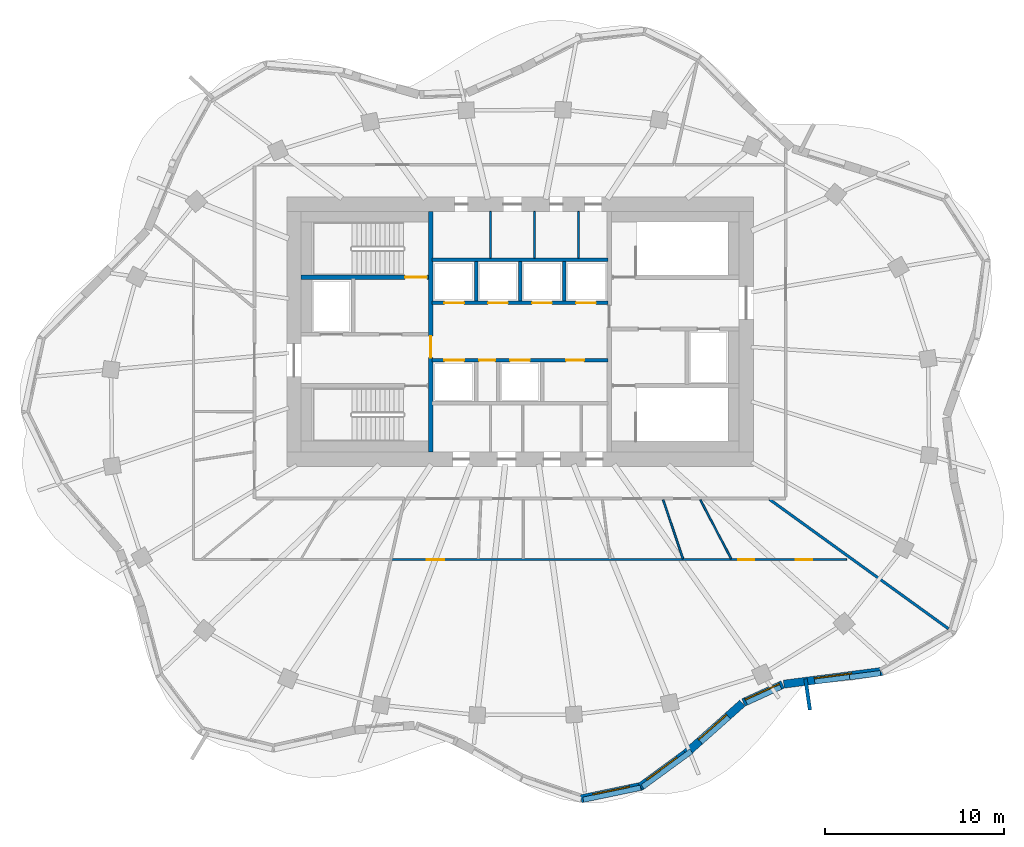
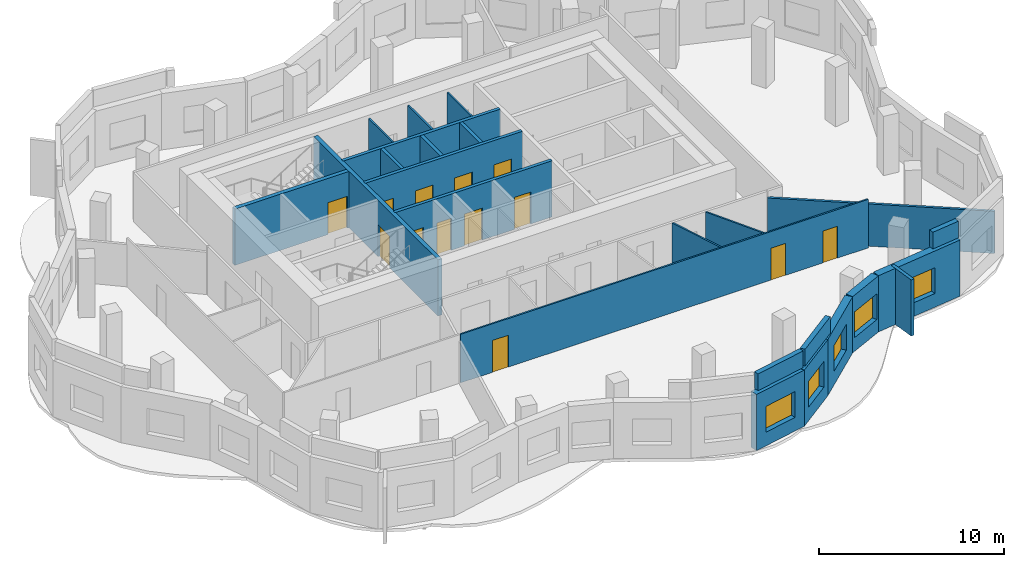
# One storey, part 5 of 9: 24 walls, 13 doors, 5 windows, 18 openings.
"""IFC4 building model written with IfcOpenShell, lengths in metres."""

from ifc_helpers import new_model, si_unit, direction, frame, frame_2d, origin, place, context, subcontext, project, spatial, rectangle, extrude, material, layer, layer_set, type_object, element, fill, save


model = new_model("IFC4")

# Units and contexts
model_context = context("Model", 3, precision=1e-05, world=origin(), true_north=direction((0.0, 1.0)))
body_context = subcontext(model_context, "Body", "Model", "MODEL_VIEW")
ifc_project = project(units=[si_unit("LENGTHUNIT", "METRE"), si_unit("AREAUNIT", "SQUARE_METRE"), si_unit("VOLUMEUNIT", "CUBIC_METRE"), si_unit("PLANEANGLEUNIT", "RADIAN"), si_unit("MASSUNIT", "GRAM", prefix="KILO")], contexts=[model_context])

# Site, building, storey
site_placement = place(None, origin())
site = spatial("IfcSite", under=ifc_project, at=site_placement, CompositionType="ELEMENT")
building_placement = place(site_placement, origin())
building = spatial("IfcBuilding", under=site, at=building_placement, Name="Rubra Terraces Tower", CompositionType="ELEMENT")
storey_placement = place(building_placement, frame((0.0, 0.0, 303.89990234375)))
storey = spatial("IfcBuildingStorey", under=building, at=storey_placement, Name="L75", CompositionType="ELEMENT", Elevation=303.89990234375)

# Wall, opening, window
ifc_material_1 = material(Name="Brick masonry red-brown", Category="masonry")
ifc_layer_1 = layer(ifc_material_1, 0.449951171875)
ifc_layer_set_1 = layer_set([ifc_layer_1], Name="Brick masonry red-brown")
wall_type_1 = type_object("IfcWallType", Name="Brick facade wall 450", PredefinedType="SOLIDWALL", material=ifc_layer_set_1)
wall_1_placement = place(storey_placement, frame((3.39892578125, -21.53173828125, 0.0), z_axis=(0.0, 0.0, 1.0), x_axis=(0.978915912181, 0.204263645512, 0.0)))
wall_1 = element("IfcWall", 1, at=wall_1_placement, inside=storey, type_object=wall_type_1, Name="Facade wall L75 bay 32", PredefinedType="SOLIDWALL", context=body_context, shape_type="SweptSolid", body=[
    extrude(rectangle(XDim=3.466064453125, YDim=0.449951171875, at=frame_2d((1.73291015625, 0.0))), origin(), (0.0, 0.0, 1.0), 3.7001953125),
])
opening_1_placement = place(wall_1_placement, frame((0.68310546875, 0.0, 0.89990234375)))
opening_1 = element("IfcOpeningElement", 2, at=opening_1_placement, cuts=wall_1, Name="Opening W1Y", PredefinedType="OPENING", context=body_context, shape_type="SweptSolid", body=[
    extrude(rectangle(XDim=2.10009765625, YDim=1.699951171875, at=frame_2d((1.050048828125, 0.85009765625))), frame((0.0, 0.23486328125, 0.0), z_axis=(0.0, -1.0, 0.0), x_axis=(1.0, 0.0, 0.0)), (0.0, 0.0, 1.0), 0.469970703125),
])
ifc_material_2 = material(Name="Clear glass in aluminium frame", Category="aluminium")
window_type = type_object("IfcWindowType", Name="Fixed deep-set window under crown ring girder 2100 x 1700", PartitioningType="SINGLE_PANEL", PredefinedType="WINDOW", material=ifc_material_2)
window_1_placement = place(opening_1_placement, origin())
window_1 = element("IfcWindow", 3, at=window_1_placement, inside=storey, type_object=window_type, Name="Window L75 bay 32", OverallHeight=1.699951171875, OverallWidth=2.10009765625, PartitioningType="SINGLE_PANEL", PredefinedType="WINDOW", context=body_context, shape_type="SweptSolid", body=[
    extrude(rectangle(XDim=2.10009765625, YDim=1.699951171875, at=frame_2d((1.050048828125, 0.85009765625))), frame((0.0, 0.135009765625, 0.0), z_axis=(0.0, -1.0, 0.0), x_axis=(1.0, 0.0, 0.0)), (0.0, 0.0, 1.0), 0.06005859375),
])
fill(opening_1, window_1)

wall_2_placement = place(storey_placement, frame((6.705078125, -20.8623046875, 0.0), z_axis=(0.0, 0.0, 1.0), x_axis=(0.806921336267, 0.590658917716, 0.0)))
wall_2 = element("IfcWall", 4, at=wall_2_placement, inside=storey, type_object=wall_type_1, Name="Facade wall L75 bay 33", PredefinedType="SOLIDWALL", context=body_context, shape_type="SweptSolid", body=[
    extrude(rectangle(XDim=3.124755859375, YDim=0.449951171875, at=frame_2d((1.5625, 0.0))), origin(), (0.0, 0.0, 1.0), 3.7001953125),
])
opening_2_placement = place(wall_2_placement, frame((0.512451171875, 0.0, 0.89990234375)))
opening_2 = element("IfcOpeningElement", 5, at=opening_2_placement, cuts=wall_2, Name="Opening W1Y", PredefinedType="OPENING", context=body_context, shape_type="SweptSolid", body=[
    extrude(rectangle(XDim=2.10009765625, YDim=1.699951171875, at=frame_2d((1.050048828125, 0.85009765625))), frame((0.0, 0.23486328125, 0.0), z_axis=(0.0, -1.0, 0.0), x_axis=(1.0, 0.0, 0.0)), (0.0, 0.0, 1.0), 0.469970703125),
])
window_2_placement = place(opening_2_placement, origin())
window_2 = element("IfcWindow", 6, at=window_2_placement, inside=storey, type_object=window_type, Name="Window L75 bay 33", OverallHeight=1.699951171875, OverallWidth=2.10009765625, PartitioningType="SINGLE_PANEL", PredefinedType="WINDOW", context=body_context, shape_type="SweptSolid", body=[
    extrude(rectangle(XDim=2.10009765625, YDim=1.699951171875, at=frame_2d((1.050048828125, 0.85009765625))), frame((0.0, 0.135009765625, 0.0), z_axis=(0.0, -1.0, 0.0), x_axis=(1.0, 0.0, 0.0)), (0.0, 0.0, 1.0), 0.06005859375),
])
fill(opening_2, window_2)

wall_3_placement = place(storey_placement, frame((9.2099609375, -19.030029296875, 0.0), z_axis=(0.0, 0.0, 1.0), x_axis=(0.747396648191, 0.664378092861, 0.0)))
wall_3 = element("IfcWall", 7, at=wall_3_placement, inside=storey, type_object=wall_type_1, Name="Facade wall L75 bay 34", PredefinedType="SOLIDWALL", context=body_context, shape_type="SweptSolid", body=[
    extrude(rectangle(XDim=4.25244140625, YDim=0.449951171875, at=frame_2d((2.126220703125, 0.0))), origin(), (0.0, 0.0, 1.0), 3.7001953125),
])
opening_3_placement = place(wall_3_placement, frame((1.076171875, 0.0, 0.89990234375)))
opening_3 = element("IfcOpeningElement", 8, at=opening_3_placement, cuts=wall_3, Name="Opening W1Y", PredefinedType="OPENING", context=body_context, shape_type="SweptSolid", body=[
    extrude(rectangle(XDim=2.10009765625, YDim=1.699951171875, at=frame_2d((1.050048828125, 0.85009765625))), frame((0.0, 0.23486328125, 0.0), z_axis=(0.0, -1.0, 0.0), x_axis=(1.0, 0.0, 0.0)), (0.0, 0.0, 1.0), 0.469970703125),
])
window_3_placement = place(opening_3_placement, origin())
window_3 = element("IfcWindow", 9, at=window_3_placement, inside=storey, type_object=window_type, Name="Window L75 bay 34", OverallHeight=1.699951171875, OverallWidth=2.10009765625, PartitioningType="SINGLE_PANEL", PredefinedType="WINDOW", context=body_context, shape_type="SweptSolid", body=[
    extrude(rectangle(XDim=2.10009765625, YDim=1.699951171875, at=frame_2d((1.050048828125, 0.85009765625))), frame((0.0, 0.135009765625, 0.0), z_axis=(0.0, -1.0, 0.0), x_axis=(1.0, 0.0, 0.0)), (0.0, 0.0, 1.0), 0.06005859375),
])
fill(opening_3, window_3)

wall_4_placement = place(storey_placement, frame((12.443603515625, -16.168701171875, 0.0), z_axis=(0.0, 0.0, 1.0), x_axis=(0.908468904074, 0.417952449844, 0.0)))
wall_4 = element("IfcWall", 10, at=wall_4_placement, inside=storey, type_object=wall_type_1, Name="Facade wall L75 bay 35", PredefinedType="SOLIDWALL", context=body_context, shape_type="SweptSolid", body=[
    extrude(rectangle(XDim=2.408935546875, YDim=0.449951171875, at=frame_2d((1.20458984375, 0.0))), origin(), (0.0, 0.0, 1.0), 3.7001953125),
])
opening_4_placement = place(wall_4_placement, frame((0.154541015625, 0.0, 0.89990234375)))
opening_4 = element("IfcOpeningElement", 11, at=opening_4_placement, cuts=wall_4, Name="Opening W1Y", PredefinedType="OPENING", context=body_context, shape_type="SweptSolid", body=[
    extrude(rectangle(XDim=2.10009765625, YDim=1.699951171875, at=frame_2d((1.050048828125, 0.85009765625))), frame((0.0, 0.23486328125, 0.0), z_axis=(0.0, -1.0, 0.0), x_axis=(1.0, 0.0, 0.0)), (0.0, 0.0, 1.0), 0.469970703125),
])
window_4_placement = place(opening_4_placement, origin())
window_4 = element("IfcWindow", 12, at=window_4_placement, inside=storey, type_object=window_type, Name="Window L75 bay 35", OverallHeight=1.699951171875, OverallWidth=2.10009765625, PartitioningType="SINGLE_PANEL", PredefinedType="WINDOW", context=body_context, shape_type="SweptSolid", body=[
    extrude(rectangle(XDim=2.10009765625, YDim=1.699951171875, at=frame_2d((1.050048828125, 0.85009765625))), frame((0.0, 0.135009765625, 0.0), z_axis=(0.0, -1.0, 0.0), x_axis=(1.0, 0.0, 0.0)), (0.0, 0.0, 1.0), 0.06005859375),
])
fill(opening_4, window_4)

wall_5_placement = place(storey_placement, frame((14.697265625, -15.143310546875, 0.0), z_axis=(0.0, 0.0, 1.0), x_axis=(0.991631798411, 0.129098320597, 0.0)))
wall_5 = element("IfcWall", 13, at=wall_5_placement, inside=storey, type_object=wall_type_1, Name="Facade wall L75 bay 36", PredefinedType="SOLIDWALL", context=body_context, shape_type="SweptSolid", body=[
    extrude(rectangle(XDim=5.546630859375, YDim=0.449951171875, at=frame_2d((2.7734375, 0.0))), origin(), (0.0, 0.0, 1.0), 3.7001953125),
])
opening_5_placement = place(wall_5_placement, frame((1.723388671875, 0.0, 0.89990234375)))
opening_5 = element("IfcOpeningElement", 14, at=opening_5_placement, cuts=wall_5, Name="Opening W1Y", PredefinedType="OPENING", context=body_context, shape_type="SweptSolid", body=[
    extrude(rectangle(XDim=2.10009765625, YDim=1.699951171875, at=frame_2d((1.050048828125, 0.85009765625))), frame((0.0, 0.23486328125, 0.0), z_axis=(0.0, -1.0, 0.0), x_axis=(1.0, 0.0, 0.0)), (0.0, 0.0, 1.0), 0.469970703125),
])
window_5_placement = place(opening_5_placement, origin())
window_5 = element("IfcWindow", 15, at=window_5_placement, inside=storey, type_object=window_type, Name="Window L75 bay 36", OverallHeight=1.699951171875, OverallWidth=2.10009765625, PartitioningType="SINGLE_PANEL", PredefinedType="WINDOW", context=body_context, shape_type="SweptSolid", body=[
    extrude(rectangle(XDim=2.10009765625, YDim=1.699951171875, at=frame_2d((1.050048828125, 0.85009765625))), frame((0.0, 0.135009765625, 0.0), z_axis=(0.0, -1.0, 0.0), x_axis=(1.0, 0.0, 0.0)), (0.0, 0.0, 1.0), 0.06005859375),
])
fill(opening_5, window_5)

# Walls
ifc_layer_2 = layer(ifc_material_1, 0.300048828125)
ifc_layer_set_2 = layer_set([ifc_layer_2], Name="Brick masonry red-brown")
wall_type_2 = type_object("IfcWallType", Name="Brick parapet 300", PredefinedType="PARAPET", material=ifc_layer_set_2)
wall_6_placement = place(storey_placement, frame((3.523681640625, -21.582275390625, 3.900146484375), z_axis=(0.0, 0.0, 1.0), x_axis=(0.97891618591, 0.204262333689, 0.0)))
element("IfcWall", 16, at=wall_6_placement, inside=storey, type_object=wall_type_2, Name="Parapet L75 bay 32", PredefinedType="PARAPET", context=body_context, shape_type="SweptSolid", body=[
    extrude(rectangle(XDim=3.25927734375, YDim=0.300048828125, at=frame_2d((1.629638671875, 0.0))), origin(), (0.0, 0.0, 1.0), 1.099853515625),
])
wall_7_placement = place(storey_placement, frame((6.825927734375, -20.866943359375, 3.900146484375), z_axis=(0.0, 0.0, 1.0), x_axis=(0.806907255022, 0.590678154152, 0.0)))
element("IfcWall", 17, at=wall_7_placement, inside=storey, type_object=wall_type_2, Name="Parapet L75 bay 33", PredefinedType="PARAPET", context=body_context, shape_type="SweptSolid", body=[
    extrude(rectangle(XDim=3.366943359375, YDim=0.300048828125, at=frame_2d((1.68359375, 0.0))), origin(), (0.0, 0.0, 1.0), 1.099853515625),
])
wall_8_placement = place(storey_placement, frame((18.361328125, -14.757080078125, 3.900146484375), z_axis=(0.0, 0.0, 1.0), x_axis=(0.991631715393, 0.129098958273, 0.0)))
element("IfcWall", 18, at=wall_8_placement, inside=storey, type_object=wall_type_2, Name="Parapet L75 bay 36", PredefinedType="PARAPET", context=body_context, shape_type="SweptSolid", body=[
    extrude(rectangle(XDim=1.738037109375, YDim=0.300048828125, at=frame_2d((0.869140625, 0.0))), origin(), (0.0, 0.0, 1.0), 1.099853515625),
])
ifc_layer_3 = layer(ifc_material_1, 0.199951171875)
ifc_layer_set_3 = layer_set([ifc_layer_3], Name="Brick masonry red-brown")
wall_type_3 = type_object("IfcWallType", Name="Brick wind fin 200", PredefinedType="SOLIDWALL", material=ifc_layer_set_3)
wall_9_placement = place(storey_placement, frame((15.905029296875, -14.85009765625, 0.0), z_axis=(0.0, 0.0, 1.0), x_axis=(0.140913490987, -0.990021912918, 0.0)))
element("IfcWall", 19, at=wall_9_placement, inside=storey, type_object=wall_type_3, Name="Wind fin L75 18", PredefinedType="SOLIDWALL", context=body_context, shape_type="SweptSolid", body=[
    extrude(rectangle(XDim=1.75, YDim=0.199951171875, at=frame_2d((0.875, 0.0))), origin(), (0.0, 0.0, 1.0), 3.7001953125),
])

# Wall, openings, doors
ifc_material_3 = material(Name="Concrete C30", Category="concrete")
ifc_layer_4 = layer(ifc_material_3, 0.199951171875)
ifc_layer_set_4 = layer_set([ifc_layer_4], Name="Concrete C30")
wall_type_4 = type_object("IfcWallType", Name="Core wall 200 concrete", PredefinedType="SOLIDWALL", material=ifc_layer_set_4)
wall_10_placement = place(storey_placement, frame((-4.89990234375, 2.89990234375, 0.0), z_axis=(0.0, 0.0, 1.0), x_axis=(1.0, 0.0, 0.0)))
wall_10 = element("IfcWall", 20, at=wall_10_placement, inside=storey, type_object=wall_type_4, Name="LIFT SHAFT WALL L75", PredefinedType="SOLIDWALL", context=body_context, shape_type="SweptSolid", body=[
    extrude(rectangle(XDim=9.7998046875, YDim=0.199951171875, at=frame_2d((4.89990234375, 0.0))), origin(), (0.0, 0.0, 1.0), 3.7001953125),
])
opening_6_placement = place(wall_10_placement, frame((0.675048828125, 0.0, 0.0)))
opening_6 = element("IfcOpeningElement", 21, at=opening_6_placement, cuts=wall_10, Name="Opening L75.C13", PredefinedType="OPENING", context=body_context, shape_type="SweptSolid", body=[
    extrude(rectangle(XDim=1.10009765625, YDim=2.10009765625, at=frame_2d((0.550048828125, 1.050048828125))), frame((0.0, 0.10986328125, 0.0), z_axis=(0.0, -1.0, 0.0), x_axis=(1.0, 0.0, 0.0)), (0.0, 0.0, 1.0), 0.219970703125),
])
opening_7_placement = place(wall_10_placement, frame((2.613037109375, 0.0, 0.0)))
opening_7 = element("IfcOpeningElement", 22, at=opening_7_placement, cuts=wall_10, Name="Opening L75.C14", PredefinedType="OPENING", context=body_context, shape_type="SweptSolid", body=[
    extrude(rectangle(XDim=0.89990234375, YDim=2.10009765625, at=frame_2d((0.449951171875, 1.050048828125))), frame((0.0, 0.10986328125, 0.0), z_axis=(0.0, -1.0, 0.0), x_axis=(1.0, 0.0, 0.0)), (0.0, 0.0, 1.0), 0.219970703125),
])
opening_8_placement = place(wall_10_placement, frame((4.35009765625, 0.0, 0.0)))
opening_8 = element("IfcOpeningElement", 23, at=opening_8_placement, cuts=wall_10, Name="Opening L75.C15", PredefinedType="OPENING", context=body_context, shape_type="SweptSolid", body=[
    extrude(rectangle(XDim=1.10009765625, YDim=2.10009765625, at=frame_2d((0.550048828125, 1.050048828125))), frame((0.0, 0.10986328125, 0.0), z_axis=(0.0, -1.0, 0.0), x_axis=(1.0, 0.0, 0.0)), (0.0, 0.0, 1.0), 0.219970703125),
])
opening_9_placement = place(wall_10_placement, frame((7.462890625, 0.0, 0.0)))
opening_9 = element("IfcOpeningElement", 24, at=opening_9_placement, cuts=wall_10, Name="Opening L75.C16", PredefinedType="OPENING", context=body_context, shape_type="SweptSolid", body=[
    extrude(rectangle(XDim=1.0, YDim=2.10009765625, at=frame_2d((0.5, 1.050048828125))), frame((0.0, 0.10986328125, 0.0), z_axis=(0.0, -1.0, 0.0), x_axis=(1.0, 0.0, 0.0)), (0.0, 0.0, 1.0), 0.219970703125),
])
ifc_material_4 = material(Name="Painted steel", Category="steel")
door_type_1 = type_object("IfcDoorType", Name="Fire door 1000x2100 single", OperationType="NOTDEFINED", PredefinedType="DOOR", material=ifc_material_4)
door_1_placement = place(opening_9_placement, origin())
door_1 = element("IfcDoor", 25, at=door_1_placement, inside=storey, type_object=door_type_1, Name="Linen store door", OperationType="SINGLE_SWING_RIGHT", OverallHeight=2.10009765625, OverallWidth=1.0, PredefinedType="DOOR", context=body_context, shape_type="SweptSolid", body=[
    extrude(rectangle(XDim=1.0, YDim=2.10009765625, at=frame_2d((0.5, 1.050048828125))), frame((0.0, 0.02490234375, 0.0), z_axis=(0.0, -1.0, 0.0), x_axis=(1.0, 0.0, 0.0)), (0.0, 0.0, 1.0), 0.050048828125),
])
fill(opening_9, door_1)
door_type_2 = type_object("IfcDoorType", Name="Fire door 900x2100 single", OperationType="NOTDEFINED", PredefinedType="DOOR", material=ifc_material_4)
door_2_placement = place(opening_7_placement, origin())
door_2 = element("IfcDoor", 26, at=door_2_placement, inside=storey, type_object=door_type_2, Name="Cleaner's store door", OperationType="SINGLE_SWING_RIGHT", OverallHeight=2.10009765625, OverallWidth=0.89990234375, PredefinedType="DOOR", context=body_context, shape_type="SweptSolid", body=[
    extrude(rectangle(XDim=0.89990234375, YDim=2.10009765625, at=frame_2d((0.449951171875, 1.050048828125))), frame((0.0, 0.02490234375, 0.0), z_axis=(0.0, -1.0, 0.0), x_axis=(1.0, 0.0, 0.0)), (0.0, 0.0, 1.0), 0.050048828125),
])
fill(opening_7, door_2)
ifc_material_5 = material(Name="Stainless steel", Category="steel")
door_type_3 = type_object("IfcDoorType", Name="Lift landing door 1100x2100", OperationType="NOTDEFINED", PredefinedType="DOOR", material=ifc_material_5)
door_3_placement = place(opening_6_placement, origin())
door_3 = element("IfcDoor", 27, at=door_3_placement, inside=storey, type_object=door_type_3, Name="Landing door HB1", OperationType="SLIDING_TO_RIGHT", OverallHeight=2.10009765625, OverallWidth=1.10009765625, PredefinedType="DOOR", context=body_context, shape_type="SweptSolid", body=[
    extrude(rectangle(XDim=1.10009765625, YDim=2.10009765625, at=frame_2d((0.550048828125, 1.050048828125))), frame((0.0, 0.02490234375, 0.0), z_axis=(0.0, -1.0, 0.0), x_axis=(1.0, 0.0, 0.0)), (0.0, 0.0, 1.0), 0.050048828125),
])
fill(opening_6, door_3)
door_4_placement = place(opening_8_placement, origin())
door_4 = element("IfcDoor", 28, at=door_4_placement, inside=storey, type_object=door_type_3, Name="Landing door HB2", OperationType="SLIDING_TO_LEFT", OverallHeight=2.10009765625, OverallWidth=1.10009765625, PredefinedType="DOOR", context=body_context, shape_type="SweptSolid", body=[
    extrude(rectangle(XDim=1.10009765625, YDim=2.10009765625, at=frame_2d((0.550048828125, 1.050048828125))), frame((0.0, 0.02490234375, 0.0), z_axis=(0.0, -1.0, 0.0), x_axis=(1.0, 0.0, 0.0)), (0.0, 0.0, 1.0), 0.050048828125),
])
fill(opening_8, door_4)

wall_11_placement = place(storey_placement, frame((-4.89990234375, 6.10009765625, 0.0), z_axis=(0.0, 0.0, 1.0), x_axis=(1.0, 0.0, 0.0)))
wall_11 = element("IfcWall", 29, at=wall_11_placement, inside=storey, type_object=wall_type_4, Name="LIFT SHAFT WALL L75", PredefinedType="SOLIDWALL", context=body_context, shape_type="SweptSolid", body=[
    extrude(rectangle(XDim=9.7998046875, YDim=0.199951171875, at=frame_2d((4.89990234375, 0.0))), origin(), (0.0, 0.0, 1.0), 3.7001953125),
])
opening_10_placement = place(wall_11_placement, frame((0.675048828125, 0.0, 0.0)))
opening_10 = element("IfcOpeningElement", 30, at=opening_10_placement, cuts=wall_11, Name="Opening L75.C17", PredefinedType="OPENING", context=body_context, shape_type="SweptSolid", body=[
    extrude(rectangle(XDim=1.10009765625, YDim=2.10009765625, at=frame_2d((0.550048828125, 1.050048828125))), frame((0.0, 0.10986328125, 0.0), z_axis=(0.0, -1.0, 0.0), x_axis=(1.0, 0.0, 0.0)), (0.0, 0.0, 1.0), 0.219970703125),
])
opening_11_placement = place(wall_11_placement, frame((3.125, 0.0, 0.0)))
opening_11 = element("IfcOpeningElement", 31, at=opening_11_placement, cuts=wall_11, Name="Opening L75.C18", PredefinedType="OPENING", context=body_context, shape_type="SweptSolid", body=[
    extrude(rectangle(XDim=1.10009765625, YDim=2.10009765625, at=frame_2d((0.550048828125, 1.050048828125))), frame((0.0, 0.10986328125, 0.0), z_axis=(0.0, -1.0, 0.0), x_axis=(1.0, 0.0, 0.0)), (0.0, 0.0, 1.0), 0.219970703125),
])
opening_12_placement = place(wall_11_placement, frame((5.574951171875, 0.0, 0.0)))
opening_12 = element("IfcOpeningElement", 32, at=opening_12_placement, cuts=wall_11, Name="Opening L75.C19", PredefinedType="OPENING", context=body_context, shape_type="SweptSolid", body=[
    extrude(rectangle(XDim=1.10009765625, YDim=2.10009765625, at=frame_2d((0.550048828125, 1.050048828125))), frame((0.0, 0.10986328125, 0.0), z_axis=(0.0, -1.0, 0.0), x_axis=(1.0, 0.0, 0.0)), (0.0, 0.0, 1.0), 0.219970703125),
])
opening_13_placement = place(wall_11_placement, frame((8.02490234375, 0.0, 0.0)))
opening_13 = element("IfcOpeningElement", 33, at=opening_13_placement, cuts=wall_11, Name="Opening L75.C20", PredefinedType="OPENING", context=body_context, shape_type="SweptSolid", body=[
    extrude(rectangle(XDim=1.10009765625, YDim=2.10009765625, at=frame_2d((0.550048828125, 1.050048828125))), frame((0.0, 0.10986328125, 0.0), z_axis=(0.0, -1.0, 0.0), x_axis=(1.0, 0.0, 0.0)), (0.0, 0.0, 1.0), 0.219970703125),
])
door_5_placement = place(opening_10_placement, origin())
door_5 = element("IfcDoor", 34, at=door_5_placement, inside=storey, type_object=door_type_3, Name="Landing door HB3", OperationType="SLIDING_TO_RIGHT", OverallHeight=2.10009765625, OverallWidth=1.10009765625, PredefinedType="DOOR", context=body_context, shape_type="SweptSolid", body=[
    extrude(rectangle(XDim=1.10009765625, YDim=2.10009765625, at=frame_2d((0.550048828125, 1.050048828125))), frame((0.0, 0.02490234375, 0.0), z_axis=(0.0, -1.0, 0.0), x_axis=(1.0, 0.0, 0.0)), (0.0, 0.0, 1.0), 0.050048828125),
])
fill(opening_10, door_5)
door_6_placement = place(opening_11_placement, origin())
door_6 = element("IfcDoor", 35, at=door_6_placement, inside=storey, type_object=door_type_3, Name="Landing door HB4", OperationType="SLIDING_TO_LEFT", OverallHeight=2.10009765625, OverallWidth=1.10009765625, PredefinedType="DOOR", context=body_context, shape_type="SweptSolid", body=[
    extrude(rectangle(XDim=1.10009765625, YDim=2.10009765625, at=frame_2d((0.550048828125, 1.050048828125))), frame((0.0, 0.02490234375, 0.0), z_axis=(0.0, -1.0, 0.0), x_axis=(1.0, 0.0, 0.0)), (0.0, 0.0, 1.0), 0.050048828125),
])
fill(opening_11, door_6)
door_7_placement = place(opening_12_placement, origin())
door_7 = element("IfcDoor", 36, at=door_7_placement, inside=storey, type_object=door_type_3, Name="Landing door HB5", OperationType="SLIDING_TO_RIGHT", OverallHeight=2.10009765625, OverallWidth=1.10009765625, PredefinedType="DOOR", context=body_context, shape_type="SweptSolid", body=[
    extrude(rectangle(XDim=1.10009765625, YDim=2.10009765625, at=frame_2d((0.550048828125, 1.050048828125))), frame((0.0, 0.02490234375, 0.0), z_axis=(0.0, -1.0, 0.0), x_axis=(1.0, 0.0, 0.0)), (0.0, 0.0, 1.0), 0.050048828125),
])
fill(opening_12, door_7)
door_8_placement = place(opening_13_placement, origin())
door_8 = element("IfcDoor", 37, at=door_8_placement, inside=storey, type_object=door_type_3, Name="Landing door HB6", OperationType="SLIDING_TO_LEFT", OverallHeight=2.10009765625, OverallWidth=1.10009765625, PredefinedType="DOOR", context=body_context, shape_type="SweptSolid", body=[
    extrude(rectangle(XDim=1.10009765625, YDim=2.10009765625, at=frame_2d((0.550048828125, 1.050048828125))), frame((0.0, 0.02490234375, 0.0), z_axis=(0.0, -1.0, 0.0), x_axis=(1.0, 0.0, 0.0)), (0.0, 0.0, 1.0), 0.050048828125),
])
fill(opening_13, door_8)

# Walls
wall_12_placement = place(storey_placement, frame((-4.89990234375, 8.5, 0.0), z_axis=(0.0, 0.0, 1.0), x_axis=(1.0, 0.0, 0.0)))
element("IfcWall", 38, at=wall_12_placement, inside=storey, type_object=wall_type_4, Name="LIFT SHAFT WALL L75", PredefinedType="SOLIDWALL", context=body_context, shape_type="SweptSolid", body=[
    extrude(rectangle(XDim=9.7998046875, YDim=0.199951171875, at=frame_2d((4.89990234375, 0.0))), origin(), (0.0, 0.0, 1.0), 3.7001953125),
])
for number, where, z_axis, x_axis, name in (
    (39, (-2.449951171875, 6.199951171875, 0.0), (0.0, 0.0, 1.0), (0.0, 1.0, 0.0), "LIFT SHAFT WALL L75"),
    (40, (0.0, 6.199951171875, 0.0), (0.0, 0.0, 1.0), (0.0, 1.0, 0.0), "LIFT SHAFT WALL L75"),
    (41, (2.449951171875, 6.199951171875, 0.0), (0.0, 0.0, 1.0), (0.0, 1.0, 0.0), "LIFT SHAFT WALL L75"),
):
    element("IfcWall", number, at=place(storey_placement, frame(where, z_axis=z_axis, x_axis=x_axis)), inside=storey, type_object=wall_type_4, Name=name, PredefinedType="SOLIDWALL", context=body_context, shape_type="SweptSolid", body=[
        extrude(rectangle(XDim=2.199951171875, YDim=0.199951171875, at=frame_2d((1.10009765625, 0.0))), origin(), (0.0, 0.0, 1.0), 3.7001953125),
    ])

# Wall, openings, doors
ifc_material_6 = material(Name="Plasterboard on steel stud", Category="steel")
ifc_layer_5 = layer(ifc_material_6, 0.10009765625)
ifc_layer_set_5 = layer_set([ifc_layer_5], Name="Plasterboard on steel stud")
wall_type_5 = type_object("IfcWallType", Name="ROOM PARTITION 100", PredefinedType="PARTITIONING", material=ifc_layer_set_5)
wall_13_placement = place(storey_placement, frame((18.199951171875, -8.199951171875, 0.0), z_axis=(0.0, 0.0, 1.0), x_axis=(-1.0, 0.0, 0.0)))
wall_13 = element("IfcWall", 42, at=wall_13_placement, inside=storey, type_object=wall_type_5, Name="PARTITION", PredefinedType="PARTITIONING", context=body_context, shape_type="SweptSolid", body=[
    extrude(rectangle(XDim=25.3798828125, YDim=0.10009765625, at=frame_2d((12.68994140625, 0.0))), origin(), (0.0, 0.0, 1.0), 3.197998046875),
])
opening_14_placement = place(wall_13_placement, frame((22.4140625, 0.0, 0.0)))
opening_14 = element("IfcOpeningElement", 43, at=opening_14_placement, cuts=wall_13, Name="Opening 75-109", PredefinedType="OPENING", context=body_context, shape_type="SweptSolid", body=[
    extrude(rectangle(XDim=1.0, YDim=2.10009765625, at=frame_2d((0.5, 1.050048828125))), frame((0.0, 0.06005859375, 0.0), z_axis=(0.0, -1.0, 0.0), x_axis=(1.0, 0.0, 0.0)), (0.0, 0.0, 1.0), 0.1201171875),
])
opening_15_placement = place(wall_13_placement, frame((5.14990234375, 0.0, 0.0)))
opening_15 = element("IfcOpeningElement", 44, at=opening_15_placement, cuts=wall_13, Name="Opening 75-113", PredefinedType="OPENING", context=body_context, shape_type="SweptSolid", body=[
    extrude(rectangle(XDim=0.89990234375, YDim=2.10009765625, at=frame_2d((0.449951171875, 1.050048828125))), frame((0.0, 0.06005859375, 0.0), z_axis=(0.0, -1.0, 0.0), x_axis=(1.0, 0.0, 0.0)), (0.0, 0.0, 1.0), 0.1201171875),
])
opening_16_placement = place(wall_13_placement, frame((1.930908203125, 0.0, 0.0)))
opening_16 = element("IfcOpeningElement", 45, at=opening_16_placement, cuts=wall_13, Name="Opening 75-114", PredefinedType="OPENING", context=body_context, shape_type="SweptSolid", body=[
    extrude(rectangle(XDim=0.89990234375, YDim=2.10009765625, at=frame_2d((0.449951171875, 1.050048828125))), frame((0.0, 0.06005859375, 0.0), z_axis=(0.0, -1.0, 0.0), x_axis=(1.0, 0.0, 0.0)), (0.0, 0.0, 1.0), 0.1201171875),
])
ifc_material_7 = material(Name="Painted timber door leaf", Category="wood")
door_type_4 = type_object("IfcDoorType", Name="ROOM DOOR 1000 X 2100", OperationType="SINGLE_SWING_LEFT", PredefinedType="DOOR", material=ifc_material_7)
door_9_placement = place(opening_14_placement, origin())
door_9 = element("IfcDoor", 46, at=door_9_placement, inside=storey, type_object=door_type_4, Name="DOOR 75-109", OperationType="SINGLE_SWING_LEFT", OverallHeight=2.10009765625, OverallWidth=1.0, PredefinedType="DOOR", context=body_context, shape_type="SweptSolid", body=[
    extrude(rectangle(XDim=1.0, YDim=2.10009765625, at=frame_2d((0.5, 1.050048828125))), frame((0.0, 0.02490234375, 0.0), z_axis=(0.0, -1.0, 0.0), x_axis=(1.0, 0.0, 0.0)), (0.0, 0.0, 1.0), 0.050048828125),
])
fill(opening_14, door_9)
door_type_5 = type_object("IfcDoorType", Name="ROOM DOOR 900 X 2100", OperationType="SINGLE_SWING_LEFT", PredefinedType="DOOR", material=ifc_material_7)
door_10_placement = place(opening_15_placement, origin())
door_10 = element("IfcDoor", 47, at=door_10_placement, inside=storey, type_object=door_type_5, Name="DOOR 75-113", OperationType="SINGLE_SWING_LEFT", OverallHeight=2.10009765625, OverallWidth=0.89990234375, PredefinedType="DOOR", context=body_context, shape_type="SweptSolid", body=[
    extrude(rectangle(XDim=0.89990234375, YDim=2.10009765625, at=frame_2d((0.449951171875, 1.050048828125))), frame((0.0, 0.02490234375, 0.0), z_axis=(0.0, -1.0, 0.0), x_axis=(1.0, 0.0, 0.0)), (0.0, 0.0, 1.0), 0.050048828125),
])
fill(opening_15, door_10)
door_11_placement = place(opening_16_placement, origin())
door_11 = element("IfcDoor", 48, at=door_11_placement, inside=storey, type_object=door_type_5, Name="DOOR 75-114", OperationType="SINGLE_SWING_LEFT", OverallHeight=2.10009765625, OverallWidth=0.89990234375, PredefinedType="DOOR", context=body_context, shape_type="SweptSolid", body=[
    extrude(rectangle(XDim=0.89990234375, YDim=2.10009765625, at=frame_2d((0.449951171875, 1.050048828125))), frame((0.0, 0.02490234375, 0.0), z_axis=(0.0, -1.0, 0.0), x_axis=(1.0, 0.0, 0.0)), (0.0, 0.0, 1.0), 0.050048828125),
])
fill(opening_16, door_11)

# Walls
wall_14_placement = place(storey_placement, frame((7.9736328125, -4.87109375, 0.0), z_axis=(0.0, 0.0, 1.0), x_axis=(0.318807519281, -0.947819479463, 0.0)))
element("IfcWall", 49, at=wall_14_placement, inside=storey, type_object=wall_type_5, Name="PARTITION", PredefinedType="PARTITIONING", context=body_context, shape_type="SweptSolid", body=[
    extrude(rectangle(XDim=3.462158203125, YDim=0.10009765625, at=frame_2d((1.73095703125, 0.0))), origin(), (0.0, 0.0, 1.0), 3.197998046875),
])
wall_15_placement = place(storey_placement, frame((10.0458984375, -4.866455078125, 0.0), z_axis=(0.0, 0.0, 1.0), x_axis=(0.462131804074, -0.88681125143, 0.0)))
element("IfcWall", 50, at=wall_15_placement, inside=storey, type_object=wall_type_5, Name="PARTITION", PredefinedType="PARTITIONING", context=body_context, shape_type="SweptSolid", body=[
    extrude(rectangle(XDim=3.709228515625, YDim=0.10009765625, at=frame_2d((1.8544921875, 0.0))), origin(), (0.0, 0.0, 1.0), 3.197998046875),
])
ifc_layer_6 = layer(ifc_material_6, 0.14990234375)
ifc_layer_set_6 = layer_set([ifc_layer_6], Name="Plasterboard on steel stud")
wall_type_6 = type_object("IfcWallType", Name="ROOM PARTITION 150", PredefinedType="PARTITIONING", material=ifc_layer_set_6)
wall_16_placement = place(storey_placement, frame((23.876953125, -12.057861328125, 0.0), z_axis=(0.0, 0.0, 1.0), x_axis=(-0.810464316252, 0.585788009506, 0.0)))
element("IfcWall", 51, at=wall_16_placement, inside=storey, type_object=wall_type_6, Name="PARTITION", PredefinedType="PARTITIONING", context=body_context, shape_type="SweptSolid", body=[
    extrude(rectangle(XDim=12.314697265625, YDim=0.14990234375, at=frame_2d((6.1572265625, 0.0))), origin(), (0.0, 0.0, 1.0), 2.780029296875),
])
ifc_material_8 = material(Name="Blockwork", Category="masonry")
ifc_layer_7 = layer(ifc_material_8, 0.10009765625)
ifc_layer_set_7 = layer_set([ifc_layer_7], Name="Blockwork")
wall_type_7 = type_object("IfcWallType", Name="Service partition 100 blockwork", PredefinedType="PARTITIONING", material=ifc_layer_set_7)
for number, where, z_axis, x_axis, name in (
    (52, (-1.64990234375, 8.60009765625, 0.0), (0.0, 0.0, 1.0), (0.0, 1.0, 0.0), "SERVICE ROOM PARTITION L75"),
    (53, (0.800048828125, 8.60009765625, 0.0), (0.0, 0.0, 1.0), (0.0, 1.0, 0.0), "SERVICE ROOM PARTITION L75"),
    (54, (3.25, 8.60009765625, 0.0), (0.0, 0.0, 1.0), (0.0, 1.0, 0.0), "SERVICE ROOM PARTITION L75"),
):
    element("IfcWall", number, at=place(storey_placement, frame(where, z_axis=z_axis, x_axis=x_axis)), inside=storey, type_object=wall_type_7, Name=name, PredefinedType="PARTITIONING", context=body_context, shape_type="SweptSolid", body=[
        extrude(rectangle(XDim=2.599853515625, YDim=0.10009765625, at=frame_2d((1.2998046875, 0.0))), origin(), (0.0, 0.0, 1.0), 3.7001953125),
    ])

# Wall, opening, door
ifc_material_9 = material(Name="Concrete C40", Category="concrete")
ifc_layer_8 = layer(ifc_material_9, 0.25)
ifc_layer_set_8 = layer_set([ifc_layer_8], Name="Concrete C40")
wall_type_8 = type_object("IfcWallType", Name="Stair enclosure wall 250 concrete", PredefinedType="SOLIDWALL", material=ifc_layer_set_8)
wall_17_placement = place(storey_placement, frame((-12.199951171875, 7.52490234375, 0.0), z_axis=(0.0, 0.0, 1.0), x_axis=(1.0, 0.0, 0.0)))
wall_17 = element("IfcWall", 55, at=wall_17_placement, inside=storey, type_object=wall_type_8, Name="STAIR WALL L75", PredefinedType="SOLIDWALL", context=body_context, shape_type="SweptSolid", body=[
    extrude(rectangle(XDim=7.099853515625, YDim=0.25, at=frame_2d((3.5498046875, 0.0))), origin(), (0.0, 0.0, 1.0), 3.7001953125),
])
opening_17_placement = place(wall_17_placement, frame((5.800048828125, 0.0, 0.0)))
opening_17 = element("IfcOpeningElement", 56, at=opening_17_placement, cuts=wall_17, Name="Opening L75.C09", PredefinedType="OPENING", context=body_context, shape_type="SweptSolid", body=[
    extrude(rectangle(XDim=1.199951171875, YDim=2.10009765625, at=frame_2d((0.60009765625, 1.050048828125))), frame((0.0, 0.135009765625, 0.0), z_axis=(0.0, -1.0, 0.0), x_axis=(1.0, 0.0, 0.0)), (0.0, 0.0, 1.0), 0.27001953125),
])
door_type_6 = type_object("IfcDoorType", Name="Fire door 1200x2100 single", OperationType="NOTDEFINED", PredefinedType="DOOR", material=ifc_material_4)
door_12_placement = place(opening_17_placement, origin())
door_12 = element("IfcDoor", 57, at=door_12_placement, inside=storey, type_object=door_type_6, Name="Stair door S2", OperationType="SINGLE_SWING_LEFT", OverallHeight=2.10009765625, OverallWidth=1.199951171875, PredefinedType="DOOR", context=body_context, shape_type="SweptSolid", body=[
    extrude(rectangle(XDim=1.199951171875, YDim=2.10009765625, at=frame_2d((0.60009765625, 1.050048828125))), frame((0.0, 0.02490234375, 0.0), z_axis=(0.0, -1.0, 0.0), x_axis=(1.0, 0.0, 0.0)), (0.0, 0.0, 1.0), 0.050048828125),
])
fill(opening_17, door_12)

wall_18_placement = place(storey_placement, frame((-4.97509765625, -2.199951171875, 0.0), z_axis=(0.0, 0.0, 1.0), x_axis=(0.0, 1.0, 0.0)))
wall_18 = element("IfcWall", 58, at=wall_18_placement, inside=storey, type_object=wall_type_8, Name="CORE LOBBY WALL L75", PredefinedType="SOLIDWALL", context=body_context, shape_type="SweptSolid", body=[
    extrude(rectangle(XDim=13.39990234375, YDim=0.25, at=frame_2d((6.699951171875, 0.0))), origin(), (0.0, 0.0, 1.0), 3.7001953125),
])
opening_18_placement = place(wall_18_placement, frame((5.25, 0.0, 0.0)))
opening_18 = element("IfcOpeningElement", 59, at=opening_18_placement, cuts=wall_18, Name="Opening L75.C03", PredefinedType="OPENING", context=body_context, shape_type="SweptSolid", body=[
    extrude(rectangle(XDim=1.199951171875, YDim=2.10009765625, at=frame_2d((0.60009765625, 1.050048828125))), frame((0.0, 0.135009765625, 0.0), z_axis=(0.0, -1.0, 0.0), x_axis=(1.0, 0.0, 0.0)), (0.0, 0.0, 1.0), 0.27001953125),
])
door_13_placement = place(opening_18_placement, origin())
door_13 = element("IfcDoor", 60, at=door_13_placement, inside=storey, type_object=door_type_6, Name="Firefighting lobby door FF1", OperationType="SINGLE_SWING_LEFT", OverallHeight=2.10009765625, OverallWidth=1.199951171875, PredefinedType="DOOR", context=body_context, shape_type="SweptSolid", body=[
    extrude(rectangle(XDim=1.199951171875, YDim=2.10009765625, at=frame_2d((0.60009765625, 1.050048828125))), frame((0.0, 0.02490234375, 0.0), z_axis=(0.0, -1.0, 0.0), x_axis=(1.0, 0.0, 0.0)), (0.0, 0.0, 1.0), 0.050048828125),
])
fill(opening_18, door_13)

save(model, "model.ifc")
